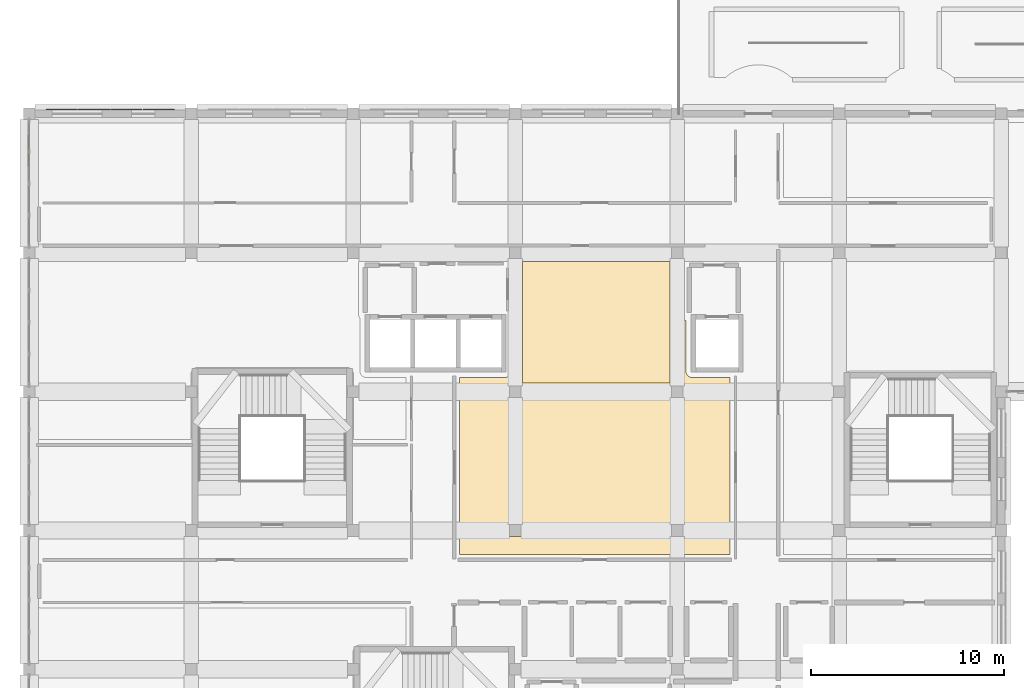
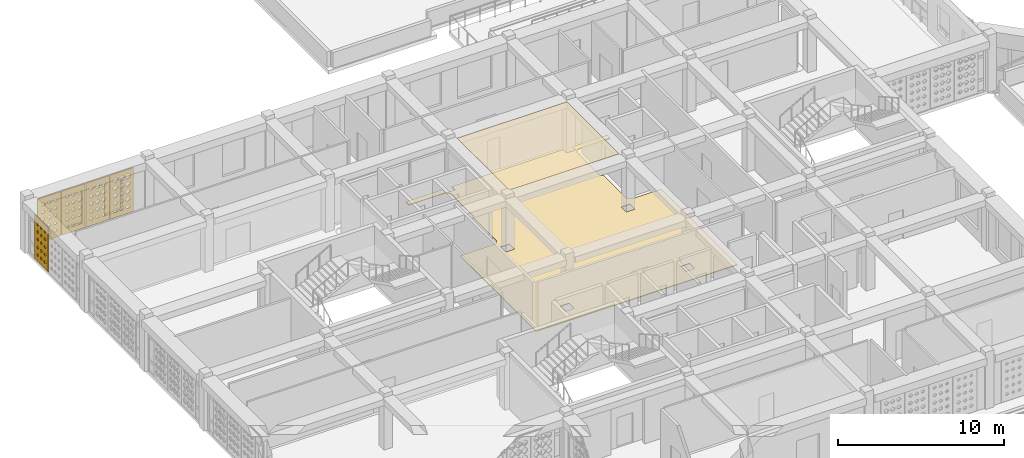
# One storey, part 42 of 48: 7 coverings.
"""IFC4 building model written with IfcOpenShell, lengths in metres."""

import ifcopenshell
import ifcopenshell.guid

model = None  # the IFC model being written
_history = None  # IfcOwnerHistory: only IFC2X3 demands one
_inside = {}  # id of a spatial element -> (the spatial element, [elements in it])
_under = {}  # id of a project, library or spatial element -> (it, [spatial elements below it])
_declared = {}  # id of a project -> (the project, [libraries it declares])
_typed = {}  # id of a type object -> (the type object, [elements of that type])
_made_of = {}  # id of a material, layer set ... -> (it, [elements and type objects made of it])


def new_model(schema):
    """Start an empty IFC model of exactly this schema.

    Asked for "IFC4X3", IfcOpenShell would pick the latest addendum, in which some entities
    have other attributes; the version numbers below select the first issue.
    IFC2X3 requires an IfcOwnerHistory on every rooted entity: one is made here for all.
    """
    global model, _history
    if schema == "IFC4X3":
        model = ifcopenshell.file(schema_version=(4, 3, 0, 0))
    else:
        model = ifcopenshell.file(schema=schema)
    _inside.clear()
    _under.clear()
    _declared.clear()
    _typed.clear()
    _made_of.clear()
    _history = None
    if model.schema == "IFC2X3":
        org = make("IfcOrganization", Name="unknown")
        user = make(
            "IfcPersonAndOrganization",
            ThePerson=make("IfcPerson", FamilyName="unknown"),
            TheOrganization=org,
        )
        app = make(
            "IfcApplication",
            ApplicationDeveloper=org,
            Version="unknown",
            ApplicationFullName="unknown",
            ApplicationIdentifier="unknown",
        )
        _history = make(
            "IfcOwnerHistory",
            OwningUser=user,
            OwningApplication=app,
            ChangeAction="ADDED",
            CreationDate=0,
        )
    return model


def make(cls, **values):
    """One entity of the class cls with the attributes given. An attribute that is None is left unset."""
    return model.create_entity(
        cls, **{name: value for name, value in values.items() if value is not None}
    )


def rooted(cls, **values):
    """An entity with a GlobalId (a new one), such as an element, a storey or a relation."""
    return make(cls, GlobalId=ifcopenshell.guid.new(), OwnerHistory=_history, **values)


def si_unit(unit_type, name, prefix=None):
    """IfcSIUnit, for example si_unit("LENGTHUNIT", "METRE", prefix="MILLI")."""
    return make("IfcSIUnit", UnitType=unit_type, Prefix=prefix, Name=name)


def derived_unit(unit_type, elements):
    """IfcDerivedUnit: a product of units, each with its exponent."""
    return make(
        "IfcDerivedUnit",
        Elements=[
            make("IfcDerivedUnitElement", Unit=unit, Exponent=power)
            for unit, power in elements
        ],
        UnitType=unit_type,
    )


def assignment(units):
    """IfcUnitAssignment: the units of a project."""
    return None if units is None else make("IfcUnitAssignment", Units=units)


def point(xyz):
    """IfcCartesianPoint."""
    return None if xyz is None else make("IfcCartesianPoint", Coordinates=xyz)


def direction(xyz):
    """IfcDirection."""
    return None if xyz is None else make("IfcDirection", DirectionRatios=xyz)


def frame(location, z_axis=None, x_axis=None):
    """IfcAxis2Placement3D, a coordinate frame: its origin and axes. An axis left out is left unset."""
    return make(
        "IfcAxis2Placement3D",
        Location=point(location),
        Axis=direction(z_axis),
        RefDirection=direction(x_axis),
    )


def origin():
    """The frame at (0, 0, 0) with its axes left unset."""
    return frame((0.0, 0.0, 0.0))


def place(relative_to, where):
    """IfcLocalPlacement: puts the frame where relative to a parent placement (None: the world)."""
    return make(
        "IfcLocalPlacement", PlacementRelTo=relative_to, RelativePlacement=where
    )


def context(
    kind, dimensions, precision=None, world=None, true_north=None, identifier=None
):
    """IfcGeometricRepresentationContext, for example the 3D "Model" context."""
    return make(
        "IfcGeometricRepresentationContext",
        ContextIdentifier=identifier,
        ContextType=kind,
        CoordinateSpaceDimension=dimensions,
        Precision=precision,
        WorldCoordinateSystem=world,
        TrueNorth=true_north,
    )


def subcontext(parent, identifier, kind, view, scale=None):
    """IfcGeometricRepresentationSubContext, for example "Body" below "Model"."""
    return make(
        "IfcGeometricRepresentationSubContext",
        ContextIdentifier=identifier,
        ContextType=kind,
        ParentContext=parent,
        TargetScale=scale,
        TargetView=view,
    )


def project(units=None, contexts=None):
    """IfcProject with its units and contexts."""
    return rooted(
        "IfcProject",
        Name="project",
        RepresentationContexts=contexts,
        UnitsInContext=assignment(units),
    )


def spatial(cls, under=None, at=None, **own):
    """A site, building, storey or space (cls), placed at a placement, below another one or the project."""
    s = rooted(cls, ObjectPlacement=at, **own)
    if under is not None:
        _under.setdefault(under.id(), (under, []))[1].append(s)
    return s


def polyline(points):
    """IfcPolyline through the points."""
    return make("IfcPolyline", Points=[point(p) for p in points])


def outline(outer, holes=None, kind="AREA"):
    """IfcArbitraryClosedProfileDef: a profile drawn as a closed curve; with holes, ...WithVoids."""
    if holes is None:
        return make("IfcArbitraryClosedProfileDef", ProfileType=kind, OuterCurve=outer)
    return make(
        "IfcArbitraryProfileDefWithVoids",
        ProfileType=kind,
        OuterCurve=outer,
        InnerCurves=holes,
    )


def extrude(swept, where, along, depth):
    """IfcExtrudedAreaSolid: the profile swept, set in the frame where, extruded along a direction by depth."""
    return make(
        "IfcExtrudedAreaSolid",
        SweptArea=swept,
        Position=where,
        ExtrudedDirection=direction(along),
        Depth=depth,
    )


def shape(context_of_items, identifier, shape_type, items):
    """IfcShapeRepresentation: the items that make up one representation, for example the "Body"."""
    return make(
        "IfcShapeRepresentation",
        ContextOfItems=context_of_items,
        RepresentationIdentifier=identifier,
        RepresentationType=shape_type,
        Items=items,
    )


def material(Name=None, Category=None):
    """IfcMaterial."""
    return make("IfcMaterial", Name=Name, Category=Category)


def layer(
    of_material, thickness, ventilated=None, Name=None, Category=None, Priority=None
):
    """IfcMaterialLayer: one layer of a wall or slab, of a material (None: an air gap)."""
    return make(
        "IfcMaterialLayer",
        Material=of_material,
        LayerThickness=thickness,
        IsVentilated=ventilated,
        Name=Name,
        Category=Category,
        Priority=Priority,
    )


def layer_set(layers, Name=None):
    """IfcMaterialLayerSet."""
    return make("IfcMaterialLayerSet", MaterialLayers=layers, LayerSetName=Name)


def made_of(thing, what):
    """Note that an element or type object is made of a material, layer set ...; save() writes the relation."""
    if what is not None:
        _made_of.setdefault(what.id(), (what, []))[1].append(thing)
    return thing


def type_object(cls, material=None, **own):
    """A type object (cls), such as IfcWallType, which elements share."""
    return made_of(rooted(cls, **own), material)


def element(
    cls,
    number,
    at=None,
    inside=None,
    cuts=None,
    type_object=None,
    material=None,
    context=None,
    identifier="Body",
    shape_type=None,
    held_by="IfcProductDefinitionShape",
    body=None,
    shapes=None,
    **own,
):
    """One element of the class cls, such as IfcWall. Its Tag is "e" and its number.

    at: its placement. inside: the storey or other place that contains it. cuts: it is an
    opening in that element (IfcRelVoidsElement). A single representation is given by context,
    identifier, shape_type and body (its items); several are given by shapes. held_by: the class
    of the entity that holds the representations. save() writes the other relations.
    """
    e = rooted(cls, Tag="e%d" % number, ObjectPlacement=at, **own)
    if body is not None:
        shapes = [shape(context, identifier, shape_type, body)]
    if shapes is not None:
        e.Representation = make(held_by, Representations=shapes)
    if inside is not None:
        _inside.setdefault(inside.id(), (inside, []))[1].append(e)
    if cuts is not None:
        rooted(
            "IfcRelVoidsElement", RelatingBuildingElement=cuts, RelatedOpeningElement=e
        )
    if type_object is not None:
        _typed.setdefault(type_object.id(), (type_object, []))[1].append(e)
    return made_of(e, material)


def aggregate(whole, parts):
    """IfcRelAggregates: a whole, such as a stair, and the parts it consists of."""
    return rooted("IfcRelAggregates", RelatingObject=whole, RelatedObjects=parts)


def save(model, path):
    """Write the relations noted so far, then the file.

    IfcRelAggregates (storeys below a building ...), IfcRelContainedInSpatialStructure (elements
    in a storey), IfcRelDefinesByType, IfcRelAssociatesMaterial and IfcRelDeclares: one each for
    every whole, place, type object, material and project.
    """
    for whole, parts in _under.values():
        aggregate(whole, parts)
    for where, things in _inside.values():
        rooted(
            "IfcRelContainedInSpatialStructure",
            RelatedElements=things,
            RelatingStructure=where,
        )
    for kind, things in _typed.values():
        rooted("IfcRelDefinesByType", RelatedObjects=things, RelatingType=kind)
    for what, things in _made_of.values():
        rooted("IfcRelAssociatesMaterial", RelatedObjects=things, RelatingMaterial=what)
    for by, libraries in _declared.values():
        rooted("IfcRelDeclares", RelatingContext=by, RelatedDefinitions=libraries)
    model.write(path)


model = new_model("IFC4")

# Units and contexts
model_context = context("Model", 3, precision=1e-05, world=origin(), true_north=direction((0.0, 1.0)))
body_context = subcontext(model_context, "Body", "Model", "MODEL_VIEW")
ifc_project = project(units=[si_unit("LENGTHUNIT", "METRE"), si_unit("AREAUNIT", "SQUARE_METRE"), si_unit("VOLUMEUNIT", "CUBIC_METRE"), si_unit("PLANEANGLEUNIT", "RADIAN"), si_unit("MASSUNIT", "GRAM", prefix="KILO"), derived_unit("THERMALTRANSMITTANCEUNIT", [(si_unit("POWERUNIT", "WATT"), 1), (si_unit("LENGTHUNIT", "METRE"), -2), (si_unit("THERMODYNAMICTEMPERATUREUNIT", "KELVIN"), -1)])], contexts=[model_context])

# Site, building, storey
site_placement = place(None, origin())
site = spatial("IfcSite", under=ifc_project, at=site_placement, CompositionType="ELEMENT")
building_placement = place(site_placement, origin())
building = spatial("IfcBuilding", under=site, at=building_placement, Name="Veybourne Emporium", CompositionType="ELEMENT")
storey_placement = place(building_placement, frame((0.0, 0.0, 27.89990234375)))
storey = spatial("IfcBuildingStorey", under=building, at=storey_placement, Name="L06", CompositionType="ELEMENT", Elevation=27.89990234375)

# Coverings
ifc_material_1 = material(Name="Mineral Acoustic Ceiling", Category="gypsum")
ifc_layer_1 = layer(ifc_material_1, 0.02490234375)
ifc_layer_set_1 = layer_set([ifc_layer_1], Name="Mineral Acoustic Ceiling")
covering_type_1 = type_object("IfcCoveringType", Name="Ceiling_CLG-01", PredefinedType="CEILING", material=ifc_layer_set_1)
covering_1_placement = place(storey_placement, frame((0.0, 0.0, 3.885009765625)))
element("IfcCovering", 1, at=covering_1_placement, inside=storey, type_object=covering_type_1, Name="L06 coffered acoustic ceiling 05", PredefinedType="CEILING", context=body_context, shape_type="SweptSolid", body=[
    extrude(outline(polyline([(33.22705078125, 36.447998046875), (25.572998046875, 36.447998046875), (25.572998046875, 42.751953125), (33.22705078125, 42.751953125), (33.22705078125, 36.447998046875)])), origin(), (0.0, 0.0, 1.0), 0.025146484375),
])
ifc_material_2 = material(Name="Venetian Terrazzo Flooring", Category="masonry")
ifc_layer_2 = layer(ifc_material_2, 0.044921875)
ifc_layer_set_2 = layer_set([ifc_layer_2], Name="Venetian Terrazzo Flooring")
covering_type_2 = type_object("IfcCoveringType", Name="Flooring_FLR-01", PredefinedType="FLOORING", material=ifc_layer_set_2)
covering_2_placement = place(storey_placement, origin())
element("IfcCovering", 2, at=covering_2_placement, inside=storey, type_object=covering_type_2, Name="L06 floor finish 05", PredefinedType="FLOORING", context=body_context, shape_type="SweptSolid", body=[
    extrude(outline(polyline([(22.360107421875, 36.739013671875), (22.37939453125, 36.7353515625), (22.39501953125, 36.73291015625), (22.41455078125, 36.73095703125), (22.43017578125, 36.730224609375), (22.43994140625, 36.72998046875), (24.639892578125, 36.72998046875), (24.64990234375, 36.730224609375), (24.66552734375, 36.73095703125), (24.68505859375, 36.73291015625), (24.700439453125, 36.7353515625), (24.7197265625, 36.739013671875), (24.735107421875, 36.742919921875), (24.75390625, 36.74853515625), (24.7685546875, 36.75390625), (24.78662109375, 36.761474609375), (24.801025390625, 36.76806640625), (24.818115234375, 36.77734375), (24.831787109375, 36.785400390625), (24.84814453125, 36.79638671875), (24.860595703125, 36.8056640625), (24.875732421875, 36.818115234375), (24.887451171875, 36.82861328125), (24.9013671875, 36.842529296875), (24.911865234375, 36.854248046875), (24.92431640625, 36.869384765625), (24.93359375, 36.8818359375), (24.944580078125, 36.8984375), (24.95263671875, 36.911865234375), (24.9619140625, 36.92919921875), (24.968505859375, 36.943359375), (24.97607421875, 36.96142578125), (24.9814453125, 36.97607421875), (24.987060546875, 36.994873046875), (24.990966796875, 37.01025390625), (24.994873046875, 37.029541015625), (24.9970703125, 37.044921875), (24.9990234375, 37.064453125), (24.999755859375, 37.080078125), (25.0, 37.090087890625), (25.0, 39.822509765625), (25.007568359375, 39.83203125), (25.0166015625, 39.844482421875), (25.027099609375, 39.860595703125), (25.03466796875, 39.873779296875), (25.043701171875, 39.890869140625), (25.050048828125, 39.90478515625), (25.05712890625, 39.92236328125), (25.062255859375, 39.93701171875), (25.067626953125, 39.95556640625), (25.0712890625, 39.970458984375), (25.074951171875, 39.9892578125), (25.0771484375, 40.00439453125), (25.0791015625, 40.0234375), (25.079833984375, 40.038818359375), (25.080078125, 40.04833984375), (25.080078125, 42.550048828125), (25.079833984375, 42.559814453125), (25.0791015625, 42.575439453125), (25.0771484375, 42.594970703125), (25.07470703125, 42.610595703125), (25.071044921875, 42.6298828125), (25.067138671875, 42.64501953125), (25.0615234375, 42.663818359375), (25.05615234375, 42.6787109375), (25.048583984375, 42.69677734375), (25.0419921875, 42.7109375), (25.03271484375, 42.728271484375), (25.024658203125, 42.74169921875), (25.013671875, 42.758056640625), (25.004150390625, 42.770751953125), (24.991943359375, 42.78564453125), (24.9814453125, 42.79736328125), (24.96728515625, 42.811279296875), (24.955810546875, 42.822021484375), (24.940673828125, 42.834228515625), (24.927978515625, 42.84375), (24.91162109375, 42.8544921875), (24.898193359375, 42.86279296875), (24.880859375, 42.871826171875), (24.86669921875, 42.878662109375), (24.8486328125, 42.88623046875), (24.833740234375, 42.891357421875), (24.815185546875, 42.897216796875), (24.7998046875, 42.90087890625), (24.780517578125, 42.90478515625), (24.764892578125, 42.906982421875), (24.74560546875, 42.908935546875), (24.729736328125, 42.90966796875), (24.719970703125, 42.909912109375), (22.31005859375, 42.909912109375), (22.31005859375, 43.2900390625), (24.89501953125, 43.2900390625), (24.89501953125, 42.89501953125), (25.5048828125, 42.89501953125), (25.5048828125, 43.2900390625), (33.294921875, 43.2900390625), (33.294921875, 42.89501953125), (33.905029296875, 42.89501953125), (33.905029296875, 43.2900390625), (36.340087890625, 43.2900390625), (36.340087890625, 42.909912109375), (34.219970703125, 42.909912109375), (34.210205078125, 42.90966796875), (34.194580078125, 42.908935546875), (34.175048828125, 42.906982421875), (34.159423828125, 42.90478515625), (34.14013671875, 42.90087890625), (34.125, 42.897216796875), (34.106201171875, 42.891357421875), (34.09130859375, 42.88623046875), (34.0732421875, 42.878662109375), (34.05908203125, 42.871826171875), (34.041748046875, 42.86279296875), (34.0283203125, 42.8544921875), (34.011962890625, 42.84375), (33.999267578125, 42.834228515625), (33.984375, 42.822021484375), (33.97265625, 42.811279296875), (33.95849609375, 42.79736328125), (33.947998046875, 42.78564453125), (33.935791015625, 42.770751953125), (33.92626953125, 42.758056640625), (33.915283203125, 42.74169921875), (33.9072265625, 42.728271484375), (33.898193359375, 42.7109375), (33.891357421875, 42.69677734375), (33.8837890625, 42.6787109375), (33.878662109375, 42.663818359375), (33.872802734375, 42.64501953125), (33.869140625, 42.6298828125), (33.865234375, 42.610595703125), (33.863037109375, 42.594970703125), (33.861083984375, 42.575439453125), (33.8603515625, 42.559814453125), (33.860107421875, 42.550048828125), (33.860107421875, 39.989990234375), (33.8603515625, 39.980224609375), (33.861083984375, 39.964599609375), (33.863037109375, 39.945068359375), (33.865234375, 39.929443359375), (33.869140625, 39.91015625), (33.872802734375, 39.89501953125), (33.878662109375, 39.876220703125), (33.8837890625, 39.861328125), (33.891357421875, 39.84326171875), (33.898193359375, 39.8291015625), (33.9072265625, 39.811767578125), (33.915283203125, 39.79833984375), (33.92626953125, 39.781982421875), (33.935791015625, 39.769287109375), (33.947998046875, 39.754150390625), (33.95849609375, 39.74267578125), (33.97265625, 39.728515625), (33.984375, 39.718017578125), (33.999267578125, 39.705810546875), (34.011962890625, 39.6962890625), (34.0283203125, 39.685302734375), (34.0400390625, 39.678466796875), (34.0400390625, 37.090087890625), (34.040283203125, 37.080078125), (34.041015625, 37.064453125), (34.04296875, 37.044921875), (34.045166015625, 37.029541015625), (34.049072265625, 37.01025390625), (34.052978515625, 36.994873046875), (34.05859375, 36.97607421875), (34.06396484375, 36.96142578125), (34.0712890625, 36.943359375), (34.078125, 36.92919921875), (34.08740234375, 36.911865234375), (34.095458984375, 36.8984375), (34.1064453125, 36.8818359375), (34.11572265625, 36.869384765625), (34.128173828125, 36.854248046875), (34.138671875, 36.842529296875), (34.152587890625, 36.82861328125), (34.164306640625, 36.818115234375), (34.17919921875, 36.8056640625), (34.19189453125, 36.79638671875), (34.208251953125, 36.785400390625), (34.2216796875, 36.77734375), (34.239013671875, 36.76806640625), (34.253173828125, 36.761474609375), (34.271484375, 36.75390625), (34.2861328125, 36.74853515625), (34.304931640625, 36.742919921875), (34.320068359375, 36.739013671875), (34.339599609375, 36.7353515625), (34.35498046875, 36.73291015625), (34.37451171875, 36.73095703125), (34.39013671875, 36.730224609375), (34.39990234375, 36.72998046875), (36.340087890625, 36.72998046875), (36.340087890625, 27.56005859375), (22.31005859375, 27.56005859375), (22.31005859375, 36.7314453125), (22.324951171875, 36.73291015625), (22.340576171875, 36.7353515625), (22.35986328125, 36.739013671875), (22.360107421875, 36.739013671875), (22.360107421875, 36.739013671875)]), holes=[polyline([(33.294921875, 28.4951171875), (33.905029296875, 28.4951171875), (33.905029296875, 29.10498046875), (33.294921875, 29.10498046875), (33.294921875, 28.4951171875)]), polyline([(24.89501953125, 28.4951171875), (25.5048828125, 28.4951171875), (25.5048828125, 29.10498046875), (24.89501953125, 29.10498046875), (24.89501953125, 28.4951171875)]), polyline([(33.294921875, 35.695068359375), (33.905029296875, 35.695068359375), (33.905029296875, 36.304931640625), (33.294921875, 36.304931640625), (33.294921875, 35.695068359375)]), polyline([(24.89501953125, 35.695068359375), (25.5048828125, 35.695068359375), (25.5048828125, 36.304931640625), (24.89501953125, 36.304931640625), (24.89501953125, 35.695068359375)])]), origin(), (0.0, 0.0, 1.0), 0.045166015625),
])
ifc_material_3 = material(Name="Warm-White Perforated Aluminium Screen Alloy", Category="aluminium")
ifc_layer_3 = layer(ifc_material_3, 0.06005859375)
ifc_layer_set_3 = layer_set([ifc_layer_3], Name="Warm-White Perforated Aluminium Screen Alloy")
covering_type_3 = type_object("IfcCoveringType", Name="WaveScreen_SCR-01", PredefinedType="CLADDING", material=ifc_layer_set_3)
covering_3_placement = place(storey_placement, frame((6.719970703125, 50.64794921875, 1.68017578125), z_axis=(0.0, -1.0, 0.0), x_axis=(1.0, 0.0, 0.0)))
element("IfcCovering", 3, at=covering_3_placement, inside=storey, type_object=covering_type_3, Name="L06 wave-perforated aluminium screen SCR-01 (6.4)", PredefinedType="CLADDING", context=body_context, shape_type="SweptSolid", body=[
    extrude(outline(polyline([(-0.81982421875, -1.6201171875), (0.81982421875, -1.6201171875), (0.81982421875, 1.6201171875), (-0.81982421875, 1.6201171875), (-0.81982421875, -1.6201171875)]), holes=[polyline([(-0.433349609375, -0.9765625), (-0.305908203125, -1.068359375), (-0.305908203125, -1.171630859375), (-0.433349609375, -1.263427734375), (-0.560546875, -1.171630859375), (-0.560546875, -1.068359375), (-0.433349609375, -0.9765625)]), polyline([(-0.433349609375, -0.40576171875), (-0.297119140625, -0.50439453125), (-0.297119140625, -0.615478515625), (-0.433349609375, -0.71435546875), (-0.569580078125, -0.615478515625), (-0.569580078125, -0.50439453125), (-0.433349609375, -0.40576171875)]), polyline([(-0.433349609375, 0.166259765625), (-0.287353515625, 0.059814453125), (-0.287353515625, -0.059814453125), (-0.433349609375, -0.166259765625), (-0.579345703125, -0.059814453125), (-0.579345703125, 0.059814453125), (-0.433349609375, 0.166259765625)]), polyline([(-0.433349609375, 0.73876953125), (-0.277099609375, 0.624267578125), (-0.277099609375, 0.49560546875), (-0.433349609375, 0.38134765625), (-0.589599609375, 0.49560546875), (-0.589599609375, 0.624267578125), (-0.433349609375, 0.73876953125)]), polyline([(-0.433349609375, 1.3115234375), (-0.2666015625, 1.18896484375), (-0.2666015625, 1.051025390625), (-0.433349609375, 0.928466796875), (-0.60009765625, 1.051025390625), (-0.60009765625, 1.18896484375), (-0.433349609375, 1.3115234375)]), polyline([(0.0, -0.97119140625), (0.131591796875, -1.06640625), (0.131591796875, -1.173583984375), (0.0, -1.268798828125), (-0.131591796875, -1.173583984375), (-0.131591796875, -1.06640625), (0.0, -0.97119140625)]), polyline([(0.0, -0.39990234375), (0.14111328125, -0.50244140625), (0.14111328125, -0.61767578125), (0.0, -0.72021484375), (-0.14111328125, -0.61767578125), (-0.14111328125, -0.50244140625), (0.0, -0.39990234375)]), polyline([(0.0, 0.17236328125), (0.15087890625, 0.06201171875), (0.15087890625, -0.06201171875), (0.0, -0.17236328125), (-0.15087890625, -0.06201171875), (-0.15087890625, 0.06201171875), (0.0, 0.17236328125)]), polyline([(0.0, 0.7451171875), (0.16162109375, 0.626708984375), (0.16162109375, 0.493408203125), (0.0, 0.375), (-0.16162109375, 0.493408203125), (-0.16162109375, 0.626708984375), (0.0, 0.7451171875)]), polyline([(0.0, 1.318115234375), (0.172119140625, 1.19140625), (0.172119140625, 1.048583984375), (0.0, 0.922119140625), (-0.172119140625, 1.048583984375), (-0.172119140625, 1.19140625), (0.0, 1.318115234375)]), polyline([(0.433349609375, -0.9658203125), (0.569580078125, -1.064453125), (0.569580078125, -1.175537109375), (0.433349609375, -1.2744140625), (0.297119140625, -1.175537109375), (0.297119140625, -1.064453125), (0.433349609375, -0.9658203125)]), polyline([(0.433349609375, -0.393798828125), (0.579345703125, -0.500244140625), (0.579345703125, -0.619873046875), (0.433349609375, -0.72607421875), (0.287353515625, -0.619873046875), (0.287353515625, -0.500244140625), (0.433349609375, -0.393798828125)]), polyline([(0.433349609375, 0.1787109375), (0.589599609375, 0.064208984375), (0.589599609375, -0.064208984375), (0.433349609375, -0.1787109375), (0.277099609375, -0.064208984375), (0.277099609375, 0.064208984375), (0.433349609375, 0.1787109375)]), polyline([(0.433349609375, 0.75146484375), (0.60009765625, 0.62890625), (0.60009765625, 0.490966796875), (0.433349609375, 0.368408203125), (0.2666015625, 0.490966796875), (0.2666015625, 0.62890625), (0.433349609375, 0.75146484375)]), polyline([(0.433349609375, 1.324462890625), (0.610595703125, 1.193603515625), (0.610595703125, 1.04638671875), (0.433349609375, 0.91552734375), (0.256103515625, 1.04638671875), (0.256103515625, 1.193603515625), (0.433349609375, 1.324462890625)])]), origin(), (0.0, 0.0, 1.0), 0.06005859375),
])
covering_4_placement = place(storey_placement, frame((-0.095458984375, 48.47998046875, 1.68017578125), z_axis=(1.0, 0.0, 0.0), x_axis=(0.0, 1.0, 0.0)))
element("IfcCovering", 4, at=covering_4_placement, inside=storey, type_object=covering_type_3, Name="L06 wave-perforated aluminium screen SCR-01 (7C.3)", PredefinedType="CLADDING", context=body_context, shape_type="SweptSolid", body=[
    extrude(outline(polyline([(-0.81982421875, -1.6201171875), (0.81982421875, -1.6201171875), (0.81982421875, 1.6201171875), (-0.81982421875, 1.6201171875), (-0.81982421875, -1.6201171875)]), holes=[polyline([(-0.433349609375, -0.991943359375), (-0.318603515625, -1.073974609375), (-0.318603515625, -1.166015625), (-0.433349609375, -1.248046875), (-0.548095703125, -1.166015625), (-0.548095703125, -1.073974609375), (-0.433349609375, -0.991943359375)]), polyline([(-0.433349609375, -0.439208984375), (-0.324462890625, -0.5166015625), (-0.324462890625, -0.603515625), (-0.433349609375, -0.680908203125), (-0.5419921875, -0.603515625), (-0.5419921875, -0.5166015625), (-0.433349609375, -0.439208984375)]), polyline([(-0.433349609375, 0.115234375), (-0.3291015625, 0.04150390625), (-0.3291015625, -0.04150390625), (-0.433349609375, -0.115234375), (-0.53759765625, -0.04150390625), (-0.53759765625, 0.04150390625), (-0.433349609375, 0.115234375)]), polyline([(-0.433349609375, 0.671630859375), (-0.331787109375, 0.60009765625), (-0.331787109375, 0.519775390625), (-0.433349609375, 0.4482421875), (-0.53466796875, 0.519775390625), (-0.53466796875, 0.60009765625), (-0.433349609375, 0.671630859375)]), polyline([(-0.433349609375, 1.22998046875), (-0.333251953125, 1.15966796875), (-0.333251953125, 1.080322265625), (-0.433349609375, 1.010009765625), (-0.533447265625, 1.080322265625), (-0.533447265625, 1.15966796875), (-0.433349609375, 1.22998046875)]), polyline([(0.0, -0.995849609375), (0.111572265625, -1.0751953125), (0.111572265625, -1.164794921875), (0.0, -1.244140625), (-0.111572265625, -1.164794921875), (-0.111572265625, -1.0751953125), (0.0, -0.995849609375)]), polyline([(0.0, -0.442138671875), (0.1064453125, -0.517578125), (0.1064453125, -0.602294921875), (0.0, -0.677734375), (-0.1064453125, -0.602294921875), (-0.1064453125, -0.517578125), (0.0, -0.442138671875)]), polyline([(0.0, 0.11328125), (0.102783203125, 0.040771484375), (0.102783203125, -0.040771484375), (0.0, -0.11328125), (-0.102783203125, -0.040771484375), (-0.102783203125, 0.040771484375), (0.0, 0.11328125)]), polyline([(0.0, 0.670654296875), (0.1005859375, 0.599853515625), (0.1005859375, 0.520263671875), (0.0, 0.449462890625), (-0.1005859375, 0.520263671875), (-0.1005859375, 0.599853515625), (0.0, 0.670654296875)]), polyline([(0.0, 1.22998046875), (0.10009765625, 1.15966796875), (0.10009765625, 1.080322265625), (0.0, 1.010009765625), (-0.10009765625, 1.080322265625), (-0.10009765625, 1.15966796875), (0.0, 1.22998046875)]), polyline([(0.433349609375, -0.999267578125), (0.542236328125, -1.076416015625), (0.542236328125, -1.16357421875), (0.433349609375, -1.24072265625), (0.324462890625, -1.16357421875), (0.324462890625, -1.076416015625), (0.433349609375, -0.999267578125)]), polyline([(0.433349609375, -0.444580078125), (0.53759765625, -0.5185546875), (0.53759765625, -0.6015625), (0.433349609375, -0.67529296875), (0.3291015625, -0.6015625), (0.3291015625, -0.5185546875), (0.433349609375, -0.444580078125)]), polyline([(0.433349609375, 0.11181640625), (0.53466796875, 0.040283203125), (0.53466796875, -0.040283203125), (0.433349609375, -0.11181640625), (0.331787109375, -0.040283203125), (0.331787109375, 0.040283203125), (0.433349609375, 0.11181640625)]), polyline([(0.433349609375, 0.670166015625), (0.533447265625, 0.599609375), (0.533447265625, 0.5205078125), (0.433349609375, 0.449951171875), (0.333251953125, 0.5205078125), (0.333251953125, 0.599609375), (0.433349609375, 0.670166015625)]), polyline([(0.433349609375, 1.23046875), (0.53369140625, 1.159912109375), (0.53369140625, 1.080078125), (0.433349609375, 1.009521484375), (0.3330078125, 1.080078125), (0.3330078125, 1.159912109375), (0.433349609375, 1.23046875)])]), origin(), (0.0, 0.0, 1.0), 0.06005859375),
])
ifc_layer_4 = layer(ifc_material_3, 0.06005859375)
ifc_layer_set_4 = layer_set([ifc_layer_4], Name="Warm-White Perforated Aluminium Screen Alloy")
covering_type_4 = type_object("IfcCoveringType", Name="WaveScreen_SCR-02", PredefinedType="CLADDING", material=ifc_layer_set_4)
covering_5_placement = place(storey_placement, frame((1.679931640625, 50.64794921875, 1.68017578125), z_axis=(0.0, -1.0, 0.0), x_axis=(1.0, 0.0, 0.0)))
element("IfcCovering", 5, at=covering_5_placement, inside=storey, type_object=covering_type_4, Name="L06 wave-perforated aluminium screen SCR-02 (6.1)", PredefinedType="CLADDING", context=body_context, shape_type="SweptSolid", body=[
    extrude(outline(polyline([(-0.81982421875, -1.6201171875), (0.81982421875, -1.6201171875), (0.81982421875, 1.6201171875), (-0.81982421875, 1.6201171875), (-0.81982421875, -1.6201171875)]), holes=[polyline([(-0.433349609375, -1.010009765625), (-0.333251953125, -1.080322265625), (-0.333251953125, -1.15966796875), (-0.433349609375, -1.22998046875), (-0.533447265625, -1.15966796875), (-0.533447265625, -1.080322265625), (-0.433349609375, -1.010009765625)]), polyline([(-0.433349609375, -0.448486328125), (-0.332275390625, -0.52001953125), (-0.332275390625, -0.60009765625), (-0.433349609375, -0.67138671875), (-0.534423828125, -0.60009765625), (-0.534423828125, -0.52001953125), (-0.433349609375, -0.448486328125)]), polyline([(-0.433349609375, 0.11474609375), (-0.32958984375, 0.041259765625), (-0.32958984375, -0.041259765625), (-0.433349609375, -0.11474609375), (-0.537109375, -0.041259765625), (-0.537109375, 0.041259765625), (-0.433349609375, 0.11474609375)]), polyline([(-0.433349609375, 0.679931640625), (-0.3251953125, 0.603271484375), (-0.3251953125, 0.516845703125), (-0.433349609375, 0.440185546875), (-0.54150390625, 0.516845703125), (-0.54150390625, 0.603271484375), (-0.433349609375, 0.679931640625)]), polyline([(-0.433349609375, 1.2470703125), (-0.319580078125, 1.165771484375), (-0.319580078125, 1.07421875), (-0.433349609375, 0.992919921875), (-0.547119140625, 1.07421875), (-0.547119140625, 1.165771484375), (-0.433349609375, 1.2470703125)]), polyline([(0.0, -1.009521484375), (0.100341796875, -1.080078125), (0.100341796875, -1.159912109375), (0.0, -1.23046875), (-0.100341796875, -1.159912109375), (-0.100341796875, -1.080078125), (0.0, -1.009521484375)]), polyline([(0.0, -0.447265625), (0.102294921875, -0.519287109375), (0.102294921875, -0.6005859375), (0.0, -0.6728515625), (-0.102294921875, -0.6005859375), (-0.102294921875, -0.519287109375), (0.0, -0.447265625)]), polyline([(0.0, 0.1171875), (0.105712890625, 0.0419921875), (0.105712890625, -0.0419921875), (0.0, -0.1171875), (-0.105712890625, -0.0419921875), (-0.105712890625, 0.0419921875), (0.0, 0.1171875)]), polyline([(0.0, 0.68310546875), (0.11083984375, 0.6044921875), (0.11083984375, 0.515625), (0.0, 0.436767578125), (-0.11083984375, 0.515625), (-0.11083984375, 0.6044921875), (0.0, 0.68310546875)]), polyline([(0.0, 1.251220703125), (0.1171875, 1.167236328125), (0.1171875, 1.07275390625), (0.0, 0.989013671875), (-0.1171875, 1.07275390625), (-0.1171875, 1.167236328125), (0.0, 1.251220703125)]), polyline([(0.433349609375, -1.008544921875), (0.534423828125, -1.079833984375), (0.534423828125, -1.16015625), (0.433349609375, -1.2314453125), (0.332275390625, -1.16015625), (0.332275390625, -1.079833984375), (0.433349609375, -1.008544921875)]), polyline([(0.433349609375, -0.4453125), (0.537109375, -0.518798828125), (0.537109375, -0.601318359375), (0.433349609375, -0.6748046875), (0.32958984375, -0.601318359375), (0.32958984375, -0.518798828125), (0.433349609375, -0.4453125)]), polyline([(0.433349609375, 0.119873046875), (0.54150390625, 0.043212890625), (0.54150390625, -0.043212890625), (0.433349609375, -0.119873046875), (0.3251953125, -0.043212890625), (0.3251953125, 0.043212890625), (0.433349609375, 0.119873046875)]), polyline([(0.433349609375, 0.68701171875), (0.547119140625, 0.605712890625), (0.547119140625, 0.514404296875), (0.433349609375, 0.43310546875), (0.319580078125, 0.514404296875), (0.319580078125, 0.605712890625), (0.433349609375, 0.68701171875)]), polyline([(0.433349609375, 1.255615234375), (0.55419921875, 1.168701171875), (0.55419921875, 1.0712890625), (0.433349609375, 0.984619140625), (0.3125, 1.0712890625), (0.3125, 1.168701171875), (0.433349609375, 1.255615234375)])]), origin(), (0.0, 0.0, 1.0), 0.06005859375),
])
ifc_layer_5 = layer(ifc_material_3, 0.06005859375)
ifc_layer_set_5 = layer_set([ifc_layer_5], Name="Warm-White Perforated Aluminium Screen Alloy")
covering_type_5 = type_object("IfcCoveringType", Name="WaveScreen_SCR-03", PredefinedType="CLADDING", material=ifc_layer_set_5)
covering_6_placement = place(storey_placement, frame((3.360107421875, 50.64794921875, 1.68017578125), z_axis=(0.0, -1.0, 0.0), x_axis=(1.0, 0.0, 0.0)))
element("IfcCovering", 6, at=covering_6_placement, inside=storey, type_object=covering_type_5, Name="L06 wave-perforated aluminium screen SCR-03 (6.2)", PredefinedType="CLADDING", context=body_context, shape_type="SweptSolid", body=[
    extrude(outline(polyline([(-0.81982421875, -1.6201171875), (0.81982421875, -1.6201171875), (0.81982421875, 1.6201171875), (-0.81982421875, 1.6201171875), (-0.81982421875, -1.6201171875)]), holes=[polyline([(-0.433349609375, -1.005615234375), (-0.32958984375, -1.078857421875), (-0.32958984375, -1.1611328125), (-0.433349609375, -1.234375), (-0.536865234375, -1.1611328125), (-0.536865234375, -1.078857421875), (-0.433349609375, -1.005615234375)]), polyline([(-0.433349609375, -0.4404296875), (-0.32568359375, -0.51708984375), (-0.32568359375, -0.60302734375), (-0.433349609375, -0.679443359375), (-0.541015625, -0.60302734375), (-0.541015625, -0.51708984375), (-0.433349609375, -0.4404296875)]), polyline([(-0.433349609375, 0.12646484375), (-0.31982421875, 0.04541015625), (-0.31982421875, -0.04541015625), (-0.433349609375, -0.12646484375), (-0.546875, -0.04541015625), (-0.546875, 0.04541015625), (-0.433349609375, 0.12646484375)]), polyline([(-0.433349609375, 0.69482421875), (-0.31298828125, 0.608642578125), (-0.31298828125, 0.511474609375), (-0.433349609375, 0.425048828125), (-0.5537109375, 0.511474609375), (-0.5537109375, 0.608642578125), (-0.433349609375, 0.69482421875)]), polyline([(-0.433349609375, 1.264892578125), (-0.3046875, 1.172119140625), (-0.3046875, 1.06787109375), (-0.433349609375, 0.97509765625), (-0.56201171875, 1.06787109375), (-0.56201171875, 1.172119140625), (-0.433349609375, 1.264892578125)]), polyline([(0.0, -1.00341796875), (0.10546875, -1.077880859375), (0.10546875, -1.162109375), (0.0, -1.23681640625), (-0.10546875, -1.162109375), (-0.10546875, -1.077880859375), (0.0, -1.00341796875)]), polyline([(0.0, -0.437255859375), (0.1103515625, -0.515869140625), (0.1103515625, -0.604248046875), (0.0, -0.6826171875), (-0.1103515625, -0.604248046875), (-0.1103515625, -0.515869140625), (0.0, -0.437255859375)]), polyline([(0.0, 0.130615234375), (0.11669921875, 0.047119140625), (0.11669921875, -0.047119140625), (0.0, -0.130615234375), (-0.11669921875, -0.047119140625), (-0.11669921875, 0.047119140625), (0.0, 0.130615234375)]), polyline([(0.0, 0.69970703125), (0.124267578125, 0.6103515625), (0.124267578125, 0.509765625), (0.0, 0.42041015625), (-0.124267578125, 0.509765625), (-0.124267578125, 0.6103515625), (0.0, 0.69970703125)]), polyline([(0.0, 1.270263671875), (0.1328125, 1.174072265625), (0.1328125, 1.06591796875), (0.0, 0.9697265625), (-0.1328125, 1.06591796875), (-0.1328125, 1.174072265625), (0.0, 1.270263671875)]), polyline([(0.433349609375, -1.00048828125), (0.541015625, -1.076904296875), (0.541015625, -1.1630859375), (0.433349609375, -1.239501953125), (0.32568359375, -1.1630859375), (0.32568359375, -1.076904296875), (0.433349609375, -1.00048828125)]), polyline([(0.433349609375, -0.43359375), (0.546630859375, -0.514404296875), (0.546630859375, -0.60546875), (0.433349609375, -0.686279296875), (0.31982421875, -0.60546875), (0.31982421875, -0.514404296875), (0.433349609375, -0.43359375)]), polyline([(0.433349609375, 0.135009765625), (0.5537109375, 0.048583984375), (0.5537109375, -0.048583984375), (0.433349609375, -0.135009765625), (0.31298828125, -0.048583984375), (0.31298828125, 0.048583984375), (0.433349609375, 0.135009765625)]), polyline([(0.433349609375, 0.704833984375), (0.561767578125, 0.612060546875), (0.561767578125, 0.5078125), (0.433349609375, 0.415283203125), (0.304931640625, 0.5078125), (0.304931640625, 0.612060546875), (0.433349609375, 0.704833984375)]), polyline([(0.433349609375, 1.27587890625), (0.57080078125, 1.176025390625), (0.57080078125, 1.06396484375), (0.433349609375, 0.964111328125), (0.2958984375, 1.06396484375), (0.2958984375, 1.176025390625), (0.433349609375, 1.27587890625)])]), origin(), (0.0, 0.0, 1.0), 0.06005859375),
])
ifc_layer_6 = layer(ifc_material_3, 0.06005859375)
ifc_layer_set_6 = layer_set([ifc_layer_6], Name="Warm-White Perforated Aluminium Screen Alloy")
covering_type_6 = type_object("IfcCoveringType", Name="WaveScreen_SCR-04", PredefinedType="CLADDING", material=ifc_layer_set_6)
covering_7_placement = place(storey_placement, frame((5.0400390625, 50.64794921875, 1.68017578125), z_axis=(0.0, -1.0, 0.0), x_axis=(1.0, 0.0, 0.0)))
element("IfcCovering", 7, at=covering_7_placement, inside=storey, type_object=covering_type_6, Name="L06 wave-perforated aluminium screen SCR-04 (6.3)", PredefinedType="CLADDING", context=body_context, shape_type="SweptSolid", body=[
    extrude(outline(polyline([(-0.81982421875, -1.6201171875), (0.81982421875, -1.6201171875), (0.81982421875, 1.6201171875), (-0.81982421875, 1.6201171875), (-0.81982421875, -1.6201171875)]), holes=[polyline([(-0.433349609375, -0.994140625), (-0.3203125, -1.07470703125), (-0.3203125, -1.165283203125), (-0.433349609375, -1.245849609375), (-0.54638671875, -1.165283203125), (-0.54638671875, -1.07470703125), (-0.433349609375, -0.994140625)]), polyline([(-0.433349609375, -0.42578125), (-0.3134765625, -0.51171875), (-0.3134765625, -0.6083984375), (-0.433349609375, -0.6943359375), (-0.55322265625, -0.6083984375), (-0.55322265625, -0.51171875), (-0.433349609375, -0.42578125)]), polyline([(-0.433349609375, 0.14404296875), (-0.305419921875, 0.052001953125), (-0.305419921875, -0.052001953125), (-0.433349609375, -0.14404296875), (-0.561279296875, -0.052001953125), (-0.561279296875, 0.052001953125), (-0.433349609375, 0.14404296875)]), polyline([(-0.433349609375, 0.715087890625), (-0.29638671875, 0.615966796875), (-0.29638671875, 0.504150390625), (-0.433349609375, 0.40478515625), (-0.5703125, 0.504150390625), (-0.5703125, 0.615966796875), (-0.433349609375, 0.715087890625)]), polyline([(-0.433349609375, 1.287109375), (-0.28662109375, 1.18017578125), (-0.28662109375, 1.059814453125), (-0.433349609375, 0.952880859375), (-0.580078125, 1.059814453125), (-0.580078125, 1.18017578125), (-0.433349609375, 1.287109375)]), polyline([(0.0, -0.989990234375), (0.1162109375, -1.0732421875), (0.1162109375, -1.166748046875), (0.0, -1.25), (-0.1162109375, -1.166748046875), (-0.1162109375, -1.0732421875), (0.0, -0.989990234375)]), polyline([(0.0, -0.4208984375), (0.123779296875, -0.510009765625), (0.123779296875, -0.610107421875), (0.0, -0.698974609375), (-0.123779296875, -0.610107421875), (-0.123779296875, -0.510009765625), (0.0, -0.4208984375)]), polyline([(0.0, 0.1494140625), (0.13232421875, 0.0537109375), (0.13232421875, -0.0537109375), (0.0, -0.1494140625), (-0.13232421875, -0.0537109375), (-0.13232421875, 0.0537109375), (0.0, 0.1494140625)]), polyline([(0.0, 0.720947265625), (0.1416015625, 0.617919921875), (0.1416015625, 0.501953125), (0.0, 0.39892578125), (-0.1416015625, 0.501953125), (-0.1416015625, 0.617919921875), (0.0, 0.720947265625)]), polyline([(0.0, 1.293212890625), (0.15185546875, 1.182373046875), (0.15185546875, 1.0576171875), (0.0, 0.94677734375), (-0.15185546875, 1.0576171875), (-0.15185546875, 1.182373046875), (0.0, 1.293212890625)]), polyline([(0.433349609375, -0.98583984375), (0.55322265625, -1.07177734375), (0.55322265625, -1.168212890625), (0.433349609375, -1.254150390625), (0.3134765625, -1.168212890625), (0.3134765625, -1.07177734375), (0.433349609375, -0.98583984375)]), polyline([(0.433349609375, -0.416015625), (0.561279296875, -0.508056640625), (0.561279296875, -0.61181640625), (0.433349609375, -0.7041015625), (0.305419921875, -0.61181640625), (0.305419921875, -0.508056640625), (0.433349609375, -0.416015625)]), polyline([(0.433349609375, 0.155029296875), (0.5703125, 0.055908203125), (0.5703125, -0.055908203125), (0.433349609375, -0.155029296875), (0.29638671875, -0.055908203125), (0.29638671875, 0.055908203125), (0.433349609375, 0.155029296875)]), polyline([(0.433349609375, 0.72705078125), (0.580078125, 0.6201171875), (0.580078125, 0.5), (0.433349609375, 0.39306640625), (0.28662109375, 0.5), (0.28662109375, 0.6201171875), (0.433349609375, 0.72705078125)]), polyline([(0.433349609375, 1.299560546875), (0.59033203125, 1.184814453125), (0.59033203125, 1.055419921875), (0.433349609375, 0.9404296875), (0.2763671875, 1.055419921875), (0.2763671875, 1.184814453125), (0.433349609375, 1.299560546875)])]), origin(), (0.0, 0.0, 1.0), 0.06005859375),
])

save(model, "model.ifc")
